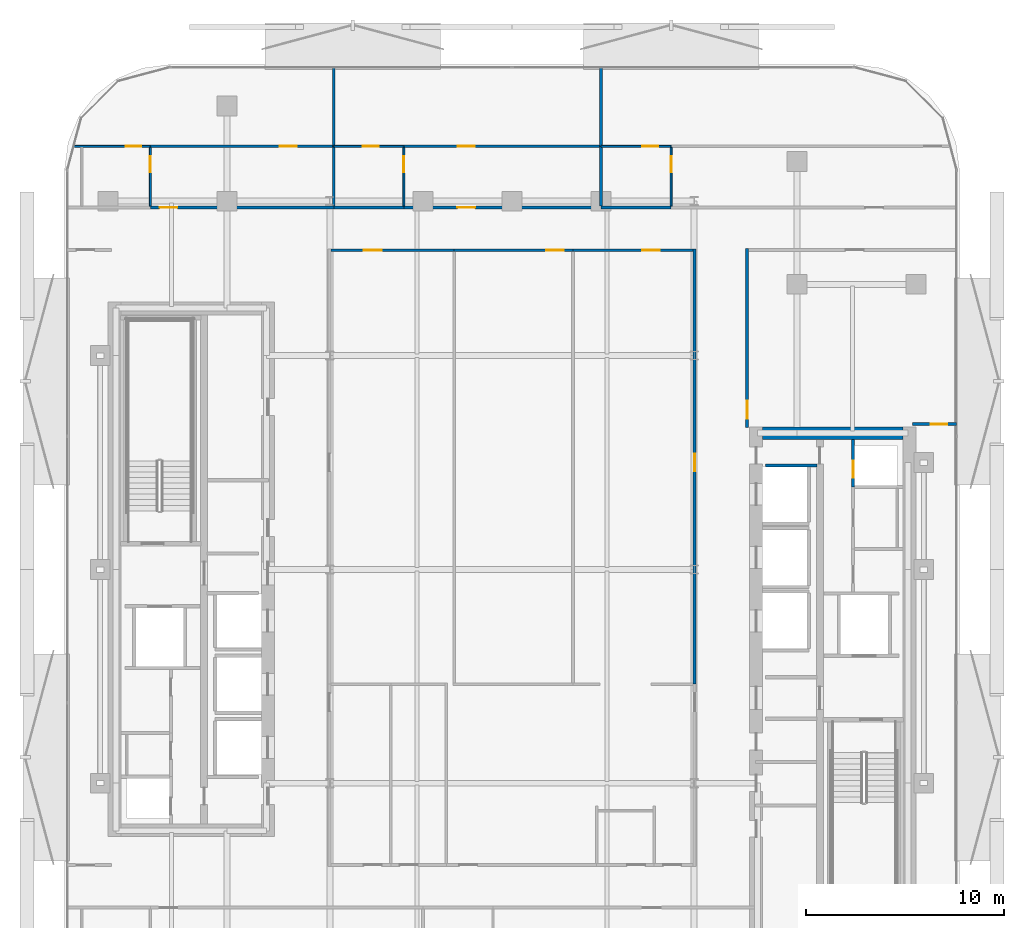
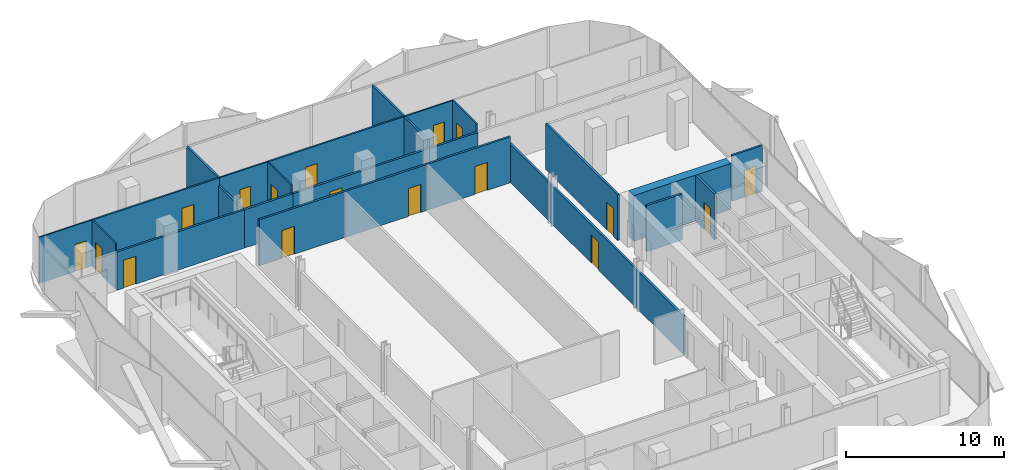
# One storey, part 6 of 16: 25 walls, 17 doors, 17 openings.
"""IFC4 building model written with IfcOpenShell, lengths in metres."""

from ifc_helpers import new_model, si_unit, direction, frame, frame_2d, origin, place, context, subcontext, project, spatial, rectangle, extrude, material, layer, layer_set, type_object, element, fill, save


model = new_model("IFC4")

# Units and contexts
model_context = context("Model", 3, precision=1e-05, world=origin(), true_north=direction((0.0, 1.0)))
body_context = subcontext(model_context, "Body", "Model", "MODEL_VIEW")
ifc_project = project(units=[si_unit("LENGTHUNIT", "METRE"), si_unit("AREAUNIT", "SQUARE_METRE"), si_unit("VOLUMEUNIT", "CUBIC_METRE"), si_unit("PLANEANGLEUNIT", "RADIAN"), si_unit("MASSUNIT", "GRAM", prefix="KILO")], contexts=[model_context])

# Site, building, storey
site_placement = place(None, origin())
site = spatial("IfcSite", under=ifc_project, at=site_placement, CompositionType="ELEMENT")
building_placement = place(site_placement, origin())
building = spatial("IfcBuilding", under=site, at=building_placement, Name="Khairoan Windgate Tower", CompositionType="ELEMENT")
storey_placement = place(building_placement, frame((0.0, 0.0, 184.0)))
storey = spatial("IfcBuildingStorey", under=building, at=storey_placement, Name="L42", CompositionType="ELEMENT", Elevation=184.0)

# Wall, opening, door
ifc_material_1 = material(Name="Moisture-Resistant Gypsum Partition", Category="gypsum")
ifc_layer_1 = layer(ifc_material_1, 0.10009765625, Name="Moisture-Resistant Gypsum Partition")
ifc_layer_set_1 = layer_set([ifc_layer_1], Name="Moisture-Resistant Gypsum Partition")
wall_type_1 = type_object("IfcWallType", Name="Bathroom Wet-Area Partition Wall", PredefinedType="PARTITIONING", material=ifc_layer_set_1)
wall_1_placement = place(storey_placement, frame((-18.260009765625, 18.35498046875, 0.0), z_axis=(0.0, 0.0, 1.0), x_axis=(0.0, 1.0, 0.0)))
wall_1 = element("IfcWall", 1, at=wall_1_placement, inside=storey, type_object=wall_type_1, Name="L42 Interior Partition 051", PredefinedType="PARTITIONING", context=body_context, shape_type="SweptSolid", body=[
    extrude(rectangle(XDim=2.965087890625, YDim=0.10009765625, at=frame_2d((1.482421875, 0.0))), origin(), (0.0, 0.0, 1.0), 3.5400390625),
])
opening_1_placement = place(wall_1_placement, frame((1.705078125, 0.0, 0.0)))
opening_1 = element("IfcOpeningElement", 2, at=opening_1_placement, cuts=wall_1, Name="Opening ID-BTH", PredefinedType="OPENING", context=body_context, shape_type="SweptSolid", body=[
    extrude(rectangle(XDim=0.800048828125, YDim=2.10009765625, at=frame_2d((0.39990234375, 1.050048828125))), frame((0.0, 0.06005859375, 0.0), z_axis=(0.0, -1.0, 0.0), x_axis=(1.0, 0.0, 0.0)), (0.0, 0.0, 1.0), 0.1201171875),
])
ifc_material_2 = material(Name="Teak Veneer Timber Leaf", Category="wood")
door_type_1 = type_object("IfcDoorType", Name="Internal Bathroom Door ID-BTH 800x2100", OperationType="NOTDEFINED", PredefinedType="DOOR", material=ifc_material_2)
door_1_placement = place(opening_1_placement, origin())
door_1 = element("IfcDoor", 3, at=door_1_placement, inside=storey, type_object=door_type_1, Name="L42 L42-42-L42-43 Door", OperationType="SINGLE_SWING_RIGHT", OverallHeight=2.10009765625, OverallWidth=0.800048828125, PredefinedType="DOOR", context=body_context, shape_type="SweptSolid", body=[
    extrude(rectangle(XDim=0.800048828125, YDim=2.10009765625, at=frame_2d((0.39990234375, 1.050048828125))), frame((0.0, 0.02490234375, 0.0), z_axis=(0.0, -1.0, 0.0), x_axis=(1.0, 0.0, 0.0)), (0.0, 0.0, 1.0), 0.050048828125),
])
fill(opening_1, door_1)

wall_2_placement = place(storey_placement, frame((-22.1396484375, 21.3701171875, 0.0), z_axis=(0.0, 0.0, 1.0), x_axis=(1.0, 0.0, 0.0)))
wall_2 = element("IfcWall", 4, at=wall_2_placement, inside=storey, type_object=wall_type_1, Name="L42 Interior Partition 052", PredefinedType="PARTITIONING", context=body_context, shape_type="SweptSolid", body=[
    extrude(rectangle(XDim=3.879638671875, YDim=0.10009765625, at=frame_2d((1.93994140625, 0.0))), origin(), (0.0, 0.0, 1.0), 3.5400390625),
])
opening_2_placement = place(wall_2_placement, frame((2.61962890625, 0.0, 0.0)))
opening_2 = element("IfcOpeningElement", 5, at=opening_2_placement, cuts=wall_2, Name="Opening ID-BTH", PredefinedType="OPENING", context=body_context, shape_type="SweptSolid", body=[
    extrude(rectangle(XDim=0.800048828125, YDim=2.10009765625, at=frame_2d((0.39990234375, 1.050048828125))), frame((0.0, 0.06005859375, 0.0), z_axis=(0.0, -1.0, 0.0), x_axis=(1.0, 0.0, 0.0)), (0.0, 0.0, 1.0), 0.1201171875),
])
door_2_placement = place(opening_2_placement, origin())
door_2 = element("IfcDoor", 6, at=door_2_placement, inside=storey, type_object=door_type_1, Name="L42 L42-42-L42-44 Door", OperationType="SINGLE_SWING_LEFT", OverallHeight=2.10009765625, OverallWidth=0.800048828125, PredefinedType="DOOR", context=body_context, shape_type="SweptSolid", body=[
    extrude(rectangle(XDim=0.800048828125, YDim=2.10009765625, at=frame_2d((0.39990234375, 1.050048828125))), frame((0.0, 0.02490234375, 0.0), z_axis=(0.0, -1.0, 0.0), x_axis=(1.0, 0.0, 0.0)), (0.0, 0.0, 1.0), 0.050048828125),
])
fill(opening_2, door_2)

wall_3_placement = place(storey_placement, frame((-5.4599609375, 18.35498046875, 0.0), z_axis=(0.0, 0.0, 1.0), x_axis=(0.0, 1.0, 0.0)))
wall_3 = element("IfcWall", 7, at=wall_3_placement, inside=storey, type_object=wall_type_1, Name="L42 Interior Partition 056", PredefinedType="PARTITIONING", context=body_context, shape_type="SweptSolid", body=[
    extrude(rectangle(XDim=2.965087890625, YDim=0.10009765625, at=frame_2d((1.482421875, 0.0))), origin(), (0.0, 0.0, 1.0), 3.5400390625),
])
opening_3_placement = place(wall_3_placement, frame((1.705078125, 0.0, 0.0)))
opening_3 = element("IfcOpeningElement", 8, at=opening_3_placement, cuts=wall_3, Name="Opening ID-BTH", PredefinedType="OPENING", context=body_context, shape_type="SweptSolid", body=[
    extrude(rectangle(XDim=0.800048828125, YDim=2.10009765625, at=frame_2d((0.39990234375, 1.050048828125))), frame((0.0, 0.06005859375, 0.0), z_axis=(0.0, -1.0, 0.0), x_axis=(1.0, 0.0, 0.0)), (0.0, 0.0, 1.0), 0.1201171875),
])
door_3_placement = place(opening_3_placement, origin())
door_3 = element("IfcDoor", 9, at=door_3_placement, inside=storey, type_object=door_type_1, Name="L42 L42-45-L42-46 Door", OperationType="SINGLE_SWING_LEFT", OverallHeight=2.10009765625, OverallWidth=0.800048828125, PredefinedType="DOOR", context=body_context, shape_type="SweptSolid", body=[
    extrude(rectangle(XDim=0.800048828125, YDim=2.10009765625, at=frame_2d((0.39990234375, 1.050048828125))), frame((0.0, 0.02490234375, 0.0), z_axis=(0.0, -1.0, 0.0), x_axis=(1.0, 0.0, 0.0)), (0.0, 0.0, 1.0), 0.050048828125),
])
fill(opening_3, door_3)

wall_4_placement = place(storey_placement, frame((-9.0, 21.3701171875, 0.0), z_axis=(0.0, 0.0, 1.0), x_axis=(1.0, 0.0, 0.0)))
wall_4 = element("IfcWall", 10, at=wall_4_placement, inside=storey, type_object=wall_type_1, Name="L42 Interior Partition 057", PredefinedType="PARTITIONING", context=body_context, shape_type="SweptSolid", body=[
    extrude(rectangle(XDim=3.5400390625, YDim=0.10009765625, at=frame_2d((1.77001953125, 0.0))), origin(), (0.0, 0.0, 1.0), 3.5400390625),
])
opening_4_placement = place(wall_4_placement, frame((1.47119140625, 0.0, 0.0)))
opening_4 = element("IfcOpeningElement", 11, at=opening_4_placement, cuts=wall_4, Name="Opening ID-BTH", PredefinedType="OPENING", context=body_context, shape_type="SweptSolid", body=[
    extrude(rectangle(XDim=0.800048828125, YDim=2.10009765625, at=frame_2d((0.39990234375, 1.050048828125))), frame((0.0, 0.06005859375, 0.0), z_axis=(0.0, -1.0, 0.0), x_axis=(1.0, 0.0, 0.0)), (0.0, 0.0, 1.0), 0.1201171875),
])
door_4_placement = place(opening_4_placement, origin())
door_4 = element("IfcDoor", 12, at=door_4_placement, inside=storey, type_object=door_type_1, Name="L42 L42-45-L42-47 Door", OperationType="SINGLE_SWING_RIGHT", OverallHeight=2.10009765625, OverallWidth=0.800048828125, PredefinedType="DOOR", context=body_context, shape_type="SweptSolid", body=[
    extrude(rectangle(XDim=0.800048828125, YDim=2.10009765625, at=frame_2d((0.39990234375, 1.050048828125))), frame((0.0, 0.02490234375, 0.0), z_axis=(0.0, -1.0, 0.0), x_axis=(1.0, 0.0, 0.0)), (0.0, 0.0, 1.0), 0.050048828125),
])
fill(opening_4, door_4)

wall_5_placement = place(storey_placement, frame((8.0400390625, 18.35498046875, 0.0), z_axis=(0.0, 0.0, 1.0), x_axis=(0.0, 1.0, 0.0)))
wall_5 = element("IfcWall", 13, at=wall_5_placement, inside=storey, type_object=wall_type_1, Name="L42 Interior Partition 061", PredefinedType="PARTITIONING", context=body_context, shape_type="SweptSolid", body=[
    extrude(rectangle(XDim=2.965087890625, YDim=0.10009765625, at=frame_2d((1.482421875, 0.0))), origin(), (0.0, 0.0, 1.0), 3.5400390625),
])
opening_5_placement = place(wall_5_placement, frame((1.705078125, 0.0, 0.0)))
opening_5 = element("IfcOpeningElement", 14, at=opening_5_placement, cuts=wall_5, Name="Opening ID-BTH", PredefinedType="OPENING", context=body_context, shape_type="SweptSolid", body=[
    extrude(rectangle(XDim=0.800048828125, YDim=2.10009765625, at=frame_2d((0.39990234375, 1.050048828125))), frame((0.0, 0.06005859375, 0.0), z_axis=(0.0, -1.0, 0.0), x_axis=(1.0, 0.0, 0.0)), (0.0, 0.0, 1.0), 0.1201171875),
])
door_5_placement = place(opening_5_placement, origin())
door_5 = element("IfcDoor", 15, at=door_5_placement, inside=storey, type_object=door_type_1, Name="L42 L42-48-L42-49 Door", OperationType="SINGLE_SWING_RIGHT", OverallHeight=2.10009765625, OverallWidth=0.800048828125, PredefinedType="DOOR", context=body_context, shape_type="SweptSolid", body=[
    extrude(rectangle(XDim=0.800048828125, YDim=2.10009765625, at=frame_2d((0.39990234375, 1.050048828125))), frame((0.0, 0.02490234375, 0.0), z_axis=(0.0, -1.0, 0.0), x_axis=(1.0, 0.0, 0.0)), (0.0, 0.0, 1.0), 0.050048828125),
])
fill(opening_5, door_5)

wall_6_placement = place(storey_placement, frame((4.5, 21.3701171875, 0.0), z_axis=(0.0, 0.0, 1.0), x_axis=(1.0, 0.0, 0.0)))
wall_6 = element("IfcWall", 16, at=wall_6_placement, inside=storey, type_object=wall_type_1, Name="L42 Interior Partition 062", PredefinedType="PARTITIONING", context=body_context, shape_type="SweptSolid", body=[
    extrude(rectangle(XDim=3.5400390625, YDim=0.10009765625, at=frame_2d((1.77001953125, 0.0))), origin(), (0.0, 0.0, 1.0), 3.5400390625),
])
opening_6_placement = place(wall_6_placement, frame((2.077880859375, 0.0, 0.0)))
opening_6 = element("IfcOpeningElement", 17, at=opening_6_placement, cuts=wall_6, Name="Opening ID-BTH", PredefinedType="OPENING", context=body_context, shape_type="SweptSolid", body=[
    extrude(rectangle(XDim=0.800048828125, YDim=2.10009765625, at=frame_2d((0.39990234375, 1.050048828125))), frame((0.0, 0.06005859375, 0.0), z_axis=(0.0, -1.0, 0.0), x_axis=(1.0, 0.0, 0.0)), (0.0, 0.0, 1.0), 0.1201171875),
])
door_6_placement = place(opening_6_placement, origin())
door_6 = element("IfcDoor", 18, at=door_6_placement, inside=storey, type_object=door_type_1, Name="L42 L42-48-L42-50 Door", OperationType="SINGLE_SWING_LEFT", OverallHeight=2.10009765625, OverallWidth=0.800048828125, PredefinedType="DOOR", context=body_context, shape_type="SweptSolid", body=[
    extrude(rectangle(XDim=0.800048828125, YDim=2.10009765625, at=frame_2d((0.39990234375, 1.050048828125))), frame((0.0, 0.02490234375, 0.0), z_axis=(0.0, -1.0, 0.0), x_axis=(1.0, 0.0, 0.0)), (0.0, 0.0, 1.0), 0.050048828125),
])
fill(opening_6, door_6)

# Walls
ifc_material_3 = material(Name="Concrete C40/50", Category="concrete")
ifc_layer_2 = layer(ifc_material_3, 0.159912109375, Name="Concrete C40/50")
ifc_layer_set_2 = layer_set([ifc_layer_2], Name="Concrete C40/50")
wall_type_2 = type_object("IfcWallType", Name="Core and Hoistway Enclosure Wall", PredefinedType="STANDARD", material=ifc_layer_set_2)
wall_7_placement = place(storey_placement, frame((12.800048828125, 5.25, 0.0), z_axis=(0.0, 0.0, 1.0), x_axis=(1.0, 0.0, 0.0)))
element("IfcWall", 19, at=wall_7_placement, inside=storey, type_object=wall_type_2, Name="L42 Core Shaft Wall SW-ESV-L42", PredefinedType="STANDARD", context=body_context, shape_type="SweptSolid", body=[
    extrude(rectangle(XDim=2.599853515625, YDim=0.159912109375, at=frame_2d((1.2998046875, 0.0))), origin(), (0.0, 0.0, 1.0), 3.5400390625),
])
ifc_material_4 = material(Name="Acoustic Fire-Rated Gypsum Partition", Category="gypsum")
ifc_layer_3 = layer(ifc_material_4, 0.139892578125, Name="Acoustic Fire-Rated Gypsum Partition")
ifc_layer_set_3 = layer_set([ifc_layer_3], Name="Acoustic Fire-Rated Gypsum Partition")
wall_type_3 = type_object("IfcWallType", Name="Inter-Tenancy Compartment Wall", PredefinedType="PARTITIONING", material=ifc_layer_set_3)
wall_8_placement = place(storey_placement, frame((-9.0, 18.35498046875, 0.0), z_axis=(0.0, 0.0, 1.0), x_axis=(0.0, 1.0, 0.0)))
element("IfcWall", 20, at=wall_8_placement, inside=storey, type_object=wall_type_3, Name="L42 Interior Partition 054", PredefinedType="PARTITIONING", context=body_context, shape_type="SweptSolid", body=[
    extrude(rectangle(XDim=3.01513671875, YDim=0.139892578125, at=frame_2d((1.507568359375, 0.0))), origin(), (0.0, 0.0, 1.0), 2.951904296875),
])
wall_9_placement = place(storey_placement, frame((-9.0, 21.3701171875, 0.0), z_axis=(0.0, 0.0, 1.0), x_axis=(0.0, 1.0, 0.0)))
element("IfcWall", 21, at=wall_9_placement, inside=storey, type_object=wall_type_3, Name="L42 Interior Partition 055", PredefinedType="PARTITIONING", context=body_context, shape_type="SweptSolid", body=[
    extrude(rectangle(XDim=3.98486328125, YDim=0.139892578125, at=frame_2d((1.992431640625, 0.0))), origin(), (0.0, 0.0, 1.0), 3.5400390625),
])
wall_10_placement = place(storey_placement, frame((4.5, 18.35498046875, 0.0), z_axis=(0.0, 0.0, 1.0), x_axis=(0.0, 1.0, 0.0)))
element("IfcWall", 22, at=wall_10_placement, inside=storey, type_object=wall_type_3, Name="L42 Interior Partition 059", PredefinedType="PARTITIONING", context=body_context, shape_type="SweptSolid", body=[
    extrude(rectangle(XDim=3.01513671875, YDim=0.139892578125, at=frame_2d((1.507568359375, 0.0))), origin(), (0.0, 0.0, 1.0), 3.5400390625),
])
wall_11_placement = place(storey_placement, frame((4.5, 21.3701171875, 0.0), z_axis=(0.0, 0.0, 1.0), x_axis=(0.0, 1.0, 0.0)))
element("IfcWall", 23, at=wall_11_placement, inside=storey, type_object=wall_type_3, Name="L42 Interior Partition 060", PredefinedType="PARTITIONING", context=body_context, shape_type="SweptSolid", body=[
    extrude(rectangle(XDim=3.98486328125, YDim=0.139892578125, at=frame_2d((1.992431640625, 0.0))), origin(), (0.0, 0.0, 1.0), 3.5400390625),
])

# Wall, opening, door
wall_12_placement = place(storey_placement, frame((20.239990234375, 7.340087890625, 0.0), z_axis=(0.0, 0.0, 1.0), x_axis=(1.0, 0.0, 0.0)))
wall_12 = element("IfcWall", 24, at=wall_12_placement, inside=storey, type_object=wall_type_3, Name="L42 Interior Partition 072", PredefinedType="PARTITIONING", context=body_context, shape_type="SweptSolid", body=[
    extrude(rectangle(XDim=2.215087890625, YDim=0.139892578125, at=frame_2d((1.107421875, 0.0))), origin(), (0.0, 0.0, 1.0), 3.5400390625),
])
opening_7_placement = place(wall_12_placement, frame((0.905029296875, 0.0, 0.0)))
opening_7 = element("IfcOpeningElement", 25, at=opening_7_placement, cuts=wall_12, Name="Opening FD-SRV", PredefinedType="OPENING", context=body_context, shape_type="SweptSolid", body=[
    extrude(rectangle(XDim=0.85009765625, YDim=2.10009765625, at=frame_2d((0.425048828125, 1.050048828125))), frame((0.0, 0.079833984375, 0.0), z_axis=(0.0, -1.0, 0.0), x_axis=(1.0, 0.0, 0.0)), (0.0, 0.0, 1.0), 0.159912109375),
])
ifc_material_5 = material(Name="Steel S355", Category="steel")
door_type_2 = type_object("IfcDoorType", Name="Core Service and Riser Fire Door FD-SRV 850x2100", OperationType="NOTDEFINED", PredefinedType="DOOR", material=ifc_material_5)
door_7_placement = place(opening_7_placement, origin())
door_7 = element("IfcDoor", 26, at=door_7_placement, inside=storey, type_object=door_type_2, Name="L42 L42-57-L42-59 Door", OperationType="SINGLE_SWING_LEFT", OverallHeight=2.10009765625, OverallWidth=0.85009765625, PredefinedType="DOOR", context=body_context, shape_type="SweptSolid", body=[
    extrude(rectangle(XDim=0.85009765625, YDim=2.10009765625, at=frame_2d((0.425048828125, 1.050048828125))), frame((0.0, 0.02490234375, 0.0), z_axis=(0.0, -1.0, 0.0), x_axis=(1.0, 0.0, 0.0)), (0.0, 0.0, 1.0), 0.050048828125),
])
fill(opening_7, door_7)

ifc_material_6 = material(Name="Gypsum Stud Partition", Category="gypsum")
ifc_layer_4 = layer(ifc_material_6, 0.1201171875, Name="Gypsum Stud Partition")
ifc_layer_set_4 = layer_set([ifc_layer_4], Name="Gypsum Stud Partition")
wall_type_4 = type_object("IfcWallType", Name="Internal Room Partition Wall", PredefinedType="PARTITIONING", material=ifc_layer_set_4)
wall_13_placement = place(storey_placement, frame((-18.260009765625, 21.3701171875, 0.0), z_axis=(0.0, 0.0, 1.0), x_axis=(1.0, 0.0, 0.0)))
wall_13 = element("IfcWall", 27, at=wall_13_placement, inside=storey, type_object=wall_type_4, Name="L42 Interior Partition 053", PredefinedType="PARTITIONING", context=body_context, shape_type="SweptSolid", body=[
    extrude(rectangle(XDim=9.260009765625, YDim=0.1201171875, at=frame_2d((4.6298828125, 0.0))), origin(), (0.0, 0.0, 1.0), 3.5400390625),
])
opening_8_placement = place(wall_13_placement, frame((6.52490234375, 0.0, 0.0)))
opening_8 = element("IfcOpeningElement", 28, at=opening_8_placement, cuts=wall_13, Name="Opening ID-RM", PredefinedType="OPENING", context=body_context, shape_type="SweptSolid", body=[
    extrude(rectangle(XDim=0.860107421875, YDim=2.14990234375, at=frame_2d((0.43017578125, 1.074951171875))), frame((0.0, 0.070068359375, 0.0), z_axis=(0.0, -1.0, 0.0), x_axis=(1.0, 0.0, 0.0)), (0.0, 0.0, 1.0), 0.14013671875),
])
ifc_material_7 = material(Name="Teak Veneer Timber Leaf", Category="wood")
door_type_3 = type_object("IfcDoorType", Name="Internal Bedroom and Office Door ID-RM 860x2150", OperationType="NOTDEFINED", PredefinedType="DOOR", material=ifc_material_7)
door_8_placement = place(opening_8_placement, origin())
door_8 = element("IfcDoor", 29, at=door_8_placement, inside=storey, type_object=door_type_3, Name="L42 L42-43-L42-44 Door", OperationType="SINGLE_SWING_RIGHT", OverallHeight=2.14990234375, OverallWidth=0.860107421875, PredefinedType="DOOR", context=body_context, shape_type="SweptSolid", body=[
    extrude(rectangle(XDim=0.860107421875, YDim=2.14990234375, at=frame_2d((0.43017578125, 1.074951171875))), frame((0.0, 0.02490234375, 0.0), z_axis=(0.0, -1.0, 0.0), x_axis=(1.0, 0.0, 0.0)), (0.0, 0.0, 1.0), 0.050048828125),
])
fill(opening_8, door_8)

wall_14_placement = place(storey_placement, frame((-5.4599609375, 21.3701171875, 0.0), z_axis=(0.0, 0.0, 1.0), x_axis=(1.0, 0.0, 0.0)))
wall_14 = element("IfcWall", 30, at=wall_14_placement, inside=storey, type_object=wall_type_4, Name="L42 Interior Partition 058", PredefinedType="PARTITIONING", context=body_context, shape_type="SweptSolid", body=[
    extrude(rectangle(XDim=9.9599609375, YDim=0.1201171875, at=frame_2d((4.97998046875, 0.0))), origin(), (0.0, 0.0, 1.0), 3.5400390625),
])
opening_9_placement = place(wall_14_placement, frame((2.70947265625, 0.0, 0.0)))
opening_9 = element("IfcOpeningElement", 31, at=opening_9_placement, cuts=wall_14, Name="Opening ID-RM", PredefinedType="OPENING", context=body_context, shape_type="SweptSolid", body=[
    extrude(rectangle(XDim=0.860107421875, YDim=2.14990234375, at=frame_2d((0.43017578125, 1.074951171875))), frame((0.0, 0.070068359375, 0.0), z_axis=(0.0, -1.0, 0.0), x_axis=(1.0, 0.0, 0.0)), (0.0, 0.0, 1.0), 0.14013671875),
])
door_9_placement = place(opening_9_placement, origin())
door_9 = element("IfcDoor", 32, at=door_9_placement, inside=storey, type_object=door_type_3, Name="L42 L42-46-L42-47 Door", OperationType="SINGLE_SWING_LEFT", OverallHeight=2.14990234375, OverallWidth=0.860107421875, PredefinedType="DOOR", context=body_context, shape_type="SweptSolid", body=[
    extrude(rectangle(XDim=0.860107421875, YDim=2.14990234375, at=frame_2d((0.43017578125, 1.074951171875))), frame((0.0, 0.02490234375, 0.0), z_axis=(0.0, -1.0, 0.0), x_axis=(1.0, 0.0, 0.0)), (0.0, 0.0, 1.0), 0.050048828125),
])
fill(opening_9, door_9)

ifc_material_8 = material(Name="Concrete C40/50", Category="concrete")
ifc_layer_5 = layer(ifc_material_8, 0.159912109375, Name="Concrete C40/50")
ifc_layer_set_5 = layer_set([ifc_layer_5], Name="Concrete C40/50")
wall_type_5 = type_object("IfcWallType", Name="Plant and Refuge Compartment Wall", PredefinedType="PARTITIONING", material=ifc_layer_set_5)
wall_15_placement = place(storey_placement, frame((17.22998046875, 4.169921875, 0.0), z_axis=(0.0, 0.0, 1.0), x_axis=(0.0, 1.0, 0.0)))
wall_15 = element("IfcWall", 33, at=wall_15_placement, inside=storey, type_object=wall_type_5, Name="L42 Interior Partition 007", PredefinedType="PARTITIONING", context=body_context, shape_type="SweptSolid", body=[
    extrude(rectangle(XDim=2.380126953125, YDim=0.159912109375, at=frame_2d((1.18994140625, 0.0))), origin(), (0.0, 0.0, 1.0), 3.5400390625),
])
opening_10_placement = place(wall_15_placement, frame((0.4599609375, 0.0, 0.0)))
opening_10 = element("IfcOpeningElement", 34, at=opening_10_placement, cuts=wall_15, Name="Opening FD-SRV", PredefinedType="OPENING", context=body_context, shape_type="SweptSolid", body=[
    extrude(rectangle(XDim=0.85009765625, YDim=2.10009765625, at=frame_2d((0.425048828125, 1.050048828125))), frame((0.0, 0.08984375, 0.0), z_axis=(0.0, -1.0, 0.0), x_axis=(1.0, 0.0, 0.0)), (0.0, 0.0, 1.0), 0.179931640625),
])
door_10_placement = place(opening_10_placement, origin())
door_10 = element("IfcDoor", 35, at=door_10_placement, inside=storey, type_object=door_type_2, Name="L42 L42-18-L42-19 Door", OperationType="SINGLE_SWING_RIGHT", OverallHeight=2.10009765625, OverallWidth=0.85009765625, PredefinedType="DOOR", context=body_context, shape_type="SweptSolid", body=[
    extrude(rectangle(XDim=0.85009765625, YDim=2.10009765625, at=frame_2d((0.425048828125, 1.050048828125))), frame((0.0, 0.02490234375, 0.0), z_axis=(0.0, -1.0, 0.0), x_axis=(1.0, 0.0, 0.0)), (0.0, 0.0, 1.0), 0.050048828125),
])
fill(opening_10, door_10)

ifc_material_9 = material(Name="Acoustic Fire-Rated Gypsum Partition", Category="gypsum")
ifc_layer_6 = layer(ifc_material_9, 0.14990234375, Name="Acoustic Fire-Rated Gypsum Partition")
ifc_layer_set_6 = layer_set([ifc_layer_6], Name="Acoustic Fire-Rated Gypsum Partition")
wall_type_6 = type_object("IfcWallType", Name="Rated Corridor Partition Wall", PredefinedType="PARTITIONING", material=ifc_layer_set_6)
wall_16_placement = place(storey_placement, frame((9.219970703125, -5.800048828125, 0.0), z_axis=(0.0, 0.0, 1.0), x_axis=(0.0, 1.0, 0.0)))
wall_16 = element("IfcWall", 36, at=wall_16_placement, inside=storey, type_object=wall_type_6, Name="L42 Interior Partition 017", PredefinedType="PARTITIONING", context=body_context, shape_type="SweptSolid", body=[
    extrude(rectangle(XDim=21.9951171875, YDim=0.14990234375, at=frame_2d((10.99755859375, 0.0))), origin(), (0.0, 0.0, 1.0), 2.951904296875),
])
opening_11_placement = place(wall_16_placement, frame((10.749267578125, 0.0, 0.0)))
opening_11 = element("IfcOpeningElement", 37, at=opening_11_placement, cuts=wall_16, Name="Opening FD-ENT", PredefinedType="OPENING", context=body_context, shape_type="SweptSolid", body=[
    extrude(rectangle(XDim=0.89990234375, YDim=2.14990234375, at=frame_2d((0.449951171875, 1.074951171875))), frame((0.0, 0.0849609375, 0.0), z_axis=(0.0, -1.0, 0.0), x_axis=(1.0, 0.0, 0.0)), (0.0, 0.0, 1.0), 0.169921875),
])
ifc_material_10 = material(Name="Timber Fire-Rated Core", Category="wood")
door_type_4 = type_object("IfcDoorType", Name="Unit and Office Fire Entrance Door FD-ENT 900x2150", OperationType="NOTDEFINED", PredefinedType="DOOR", material=ifc_material_10)
door_11_placement = place(opening_11_placement, origin())
door_11 = element("IfcDoor", 38, at=door_11_placement, inside=storey, type_object=door_type_4, Name="L42 L42-31-L42-41 Door", OperationType="SINGLE_SWING_RIGHT", OverallHeight=2.14990234375, OverallWidth=0.89990234375, PredefinedType="DOOR", context=body_context, shape_type="SweptSolid", body=[
    extrude(rectangle(XDim=0.89990234375, YDim=2.14990234375, at=frame_2d((0.449951171875, 1.074951171875))), frame((0.0, 0.02490234375, 0.0), z_axis=(0.0, -1.0, 0.0), x_axis=(1.0, 0.0, 0.0)), (0.0, 0.0, 1.0), 0.050048828125),
])
fill(opening_11, door_11)

wall_17_placement = place(storey_placement, frame((11.8798828125, 7.159912109375, 0.0), z_axis=(0.0, 0.0, 1.0), x_axis=(0.0, 1.0, 0.0)))
wall_17 = element("IfcWall", 39, at=wall_17_placement, inside=storey, type_object=wall_type_6, Name="L42 Interior Partition 018", PredefinedType="PARTITIONING", context=body_context, shape_type="SweptSolid", body=[
    extrude(rectangle(XDim=9.05517578125, YDim=0.14990234375, at=frame_2d((4.527587890625, 0.0))), origin(), (0.0, 0.0, 1.0), 3.5400390625),
])
opening_12_placement = place(wall_17_placement, frame((0.4599609375, 0.0, 0.0)))
opening_12 = element("IfcOpeningElement", 40, at=opening_12_placement, cuts=wall_17, Name="Opening FD-ENT", PredefinedType="OPENING", context=body_context, shape_type="SweptSolid", body=[
    extrude(rectangle(XDim=0.89990234375, YDim=2.14990234375, at=frame_2d((0.449951171875, 1.074951171875))), frame((0.0, 0.0849609375, 0.0), z_axis=(0.0, -1.0, 0.0), x_axis=(1.0, 0.0, 0.0)), (0.0, 0.0, 1.0), 0.169921875),
])
door_12_placement = place(opening_12_placement, origin())
door_12 = element("IfcDoor", 41, at=door_12_placement, inside=storey, type_object=door_type_4, Name="L42 L42-31-L42-57 Door", OperationType="SINGLE_SWING_LEFT", OverallHeight=2.14990234375, OverallWidth=0.89990234375, PredefinedType="DOOR", context=body_context, shape_type="SweptSolid", body=[
    extrude(rectangle(XDim=0.89990234375, YDim=2.14990234375, at=frame_2d((0.449951171875, 1.074951171875))), frame((0.0, 0.02490234375, 0.0), z_axis=(0.0, -1.0, 0.0), x_axis=(1.0, 0.0, 0.0)), (0.0, 0.0, 1.0), 0.050048828125),
])
fill(opening_12, door_12)

wall_18_placement = place(storey_placement, frame((-9.14501953125, 16.1201171875, 0.0), z_axis=(0.0, 0.0, 1.0), x_axis=(1.0, 0.0, 0.0)))
wall_18 = element("IfcWall", 42, at=wall_18_placement, inside=storey, type_object=wall_type_6, Name="L42 Interior Partition 019", PredefinedType="PARTITIONING", context=body_context, shape_type="SweptSolid", body=[
    extrude(rectangle(XDim=6.22509765625, YDim=0.14990234375, at=frame_2d((3.112548828125, 0.0))), origin(), (0.0, 0.0, 1.0), 3.5400390625),
])
opening_13_placement = place(wall_18_placement, frame((1.661376953125, 0.0, 0.0)))
opening_13 = element("IfcOpeningElement", 43, at=opening_13_placement, cuts=wall_18, Name="Opening FD-ENT", PredefinedType="OPENING", context=body_context, shape_type="SweptSolid", body=[
    extrude(rectangle(XDim=0.89990234375, YDim=2.14990234375, at=frame_2d((0.449951171875, 1.074951171875))), frame((0.0, 0.0849609375, 0.0), z_axis=(0.0, -1.0, 0.0), x_axis=(1.0, 0.0, 0.0)), (0.0, 0.0, 1.0), 0.169921875),
])
door_13_placement = place(opening_13_placement, origin())
door_13 = element("IfcDoor", 44, at=door_13_placement, inside=storey, type_object=door_type_4, Name="L42 L42-32-L42-39 Door", OperationType="SINGLE_SWING_RIGHT", OverallHeight=2.14990234375, OverallWidth=0.89990234375, PredefinedType="DOOR", context=body_context, shape_type="SweptSolid", body=[
    extrude(rectangle(XDim=0.89990234375, YDim=2.14990234375, at=frame_2d((0.449951171875, 1.074951171875))), frame((0.0, 0.02490234375, 0.0), z_axis=(0.0, -1.0, 0.0), x_axis=(1.0, 0.0, 0.0)), (0.0, 0.0, 1.0), 0.050048828125),
])
fill(opening_13, door_13)

wall_19_placement = place(storey_placement, frame((-2.919921875, 16.1201171875, 0.0), z_axis=(0.0, 0.0, 1.0), x_axis=(1.0, 0.0, 0.0)))
wall_19 = element("IfcWall", 45, at=wall_19_placement, inside=storey, type_object=wall_type_6, Name="L42 Interior Partition 020", PredefinedType="PARTITIONING", context=body_context, shape_type="SweptSolid", body=[
    extrude(rectangle(XDim=6.0, YDim=0.14990234375, at=frame_2d((3.0, 0.0))), origin(), (0.0, 0.0, 1.0), 3.5400390625),
])
opening_14_placement = place(wall_19_placement, frame((4.639892578125, 0.0, 0.0)))
opening_14 = element("IfcOpeningElement", 46, at=opening_14_placement, cuts=wall_19, Name="Opening FD-ENT", PredefinedType="OPENING", context=body_context, shape_type="SweptSolid", body=[
    extrude(rectangle(XDim=0.89990234375, YDim=2.14990234375, at=frame_2d((0.449951171875, 1.074951171875))), frame((0.0, 0.0849609375, 0.0), z_axis=(0.0, -1.0, 0.0), x_axis=(1.0, 0.0, 0.0)), (0.0, 0.0, 1.0), 0.169921875),
])
door_14_placement = place(opening_14_placement, origin())
door_14 = element("IfcDoor", 47, at=door_14_placement, inside=storey, type_object=door_type_4, Name="L42 L42-32-L42-40 Door", OperationType="SINGLE_SWING_LEFT", OverallHeight=2.14990234375, OverallWidth=0.89990234375, PredefinedType="DOOR", context=body_context, shape_type="SweptSolid", body=[
    extrude(rectangle(XDim=0.89990234375, YDim=2.14990234375, at=frame_2d((0.449951171875, 1.074951171875))), frame((0.0, 0.02490234375, 0.0), z_axis=(0.0, -1.0, 0.0), x_axis=(1.0, 0.0, 0.0)), (0.0, 0.0, 1.0), 0.050048828125),
])
fill(opening_14, door_14)

wall_20_placement = place(storey_placement, frame((3.080078125, 16.1201171875, 0.0), z_axis=(0.0, 0.0, 1.0), x_axis=(1.0, 0.0, 0.0)))
wall_20 = element("IfcWall", 48, at=wall_20_placement, inside=storey, type_object=wall_type_6, Name="L42 Interior Partition 021", PredefinedType="PARTITIONING", context=body_context, shape_type="SweptSolid", body=[
    extrude(rectangle(XDim=6.06494140625, YDim=0.14990234375, at=frame_2d((3.032470703125, 0.0))), origin(), (0.0, 0.0, 1.0), 3.5400390625),
])
opening_15_placement = place(wall_20_placement, frame((3.4921875, 0.0, 0.0)))
opening_15 = element("IfcOpeningElement", 49, at=opening_15_placement, cuts=wall_20, Name="Opening FD-ENT", PredefinedType="OPENING", context=body_context, shape_type="SweptSolid", body=[
    extrude(rectangle(XDim=0.89990234375, YDim=2.14990234375, at=frame_2d((0.449951171875, 1.074951171875))), frame((0.0, 0.0849609375, 0.0), z_axis=(0.0, -1.0, 0.0), x_axis=(1.0, 0.0, 0.0)), (0.0, 0.0, 1.0), 0.169921875),
])
door_15_placement = place(opening_15_placement, origin())
door_15 = element("IfcDoor", 50, at=door_15_placement, inside=storey, type_object=door_type_4, Name="L42 L42-32-L42-41 Door", OperationType="SINGLE_SWING_RIGHT", OverallHeight=2.14990234375, OverallWidth=0.89990234375, PredefinedType="DOOR", context=body_context, shape_type="SweptSolid", body=[
    extrude(rectangle(XDim=0.89990234375, YDim=2.14990234375, at=frame_2d((0.449951171875, 1.074951171875))), frame((0.0, 0.02490234375, 0.0), z_axis=(0.0, -1.0, 0.0), x_axis=(1.0, 0.0, 0.0)), (0.0, 0.0, 1.0), 0.050048828125),
])
fill(opening_15, door_15)

wall_21_placement = place(storey_placement, frame((-18.260009765625, 18.280029296875, 0.0), z_axis=(0.0, 0.0, 1.0), x_axis=(1.0, 0.0, 0.0)))
wall_21 = element("IfcWall", 51, at=wall_21_placement, inside=storey, type_object=wall_type_6, Name="L42 Interior Partition 023", PredefinedType="PARTITIONING", context=body_context, shape_type="SweptSolid", body=[
    extrude(rectangle(XDim=9.260009765625, YDim=0.14990234375, at=frame_2d((4.6298828125, 0.0))), origin(), (0.0, 0.0, 1.0), 2.951904296875),
])
opening_16_placement = place(wall_21_placement, frame((0.4599609375, 0.0, 0.0)))
opening_16 = element("IfcOpeningElement", 52, at=opening_16_placement, cuts=wall_21, Name="Opening FD-ENT", PredefinedType="OPENING", context=body_context, shape_type="SweptSolid", body=[
    extrude(rectangle(XDim=0.89990234375, YDim=2.14990234375, at=frame_2d((0.449951171875, 1.074951171875))), frame((0.0, 0.0849609375, 0.0), z_axis=(0.0, -1.0, 0.0), x_axis=(1.0, 0.0, 0.0)), (0.0, 0.0, 1.0), 0.169921875),
])
door_16_placement = place(opening_16_placement, origin())
door_16 = element("IfcDoor", 53, at=door_16_placement, inside=storey, type_object=door_type_4, Name="L42 L42-32-L42-43 Door", OperationType="SINGLE_SWING_LEFT", OverallHeight=2.14990234375, OverallWidth=0.89990234375, PredefinedType="DOOR", context=body_context, shape_type="SweptSolid", body=[
    extrude(rectangle(XDim=0.89990234375, YDim=2.14990234375, at=frame_2d((0.449951171875, 1.074951171875))), frame((0.0, 0.02490234375, 0.0), z_axis=(0.0, -1.0, 0.0), x_axis=(1.0, 0.0, 0.0)), (0.0, 0.0, 1.0), 0.050048828125),
])
fill(opening_16, door_16)

# Wall
wall_22_placement = place(storey_placement, frame((-9.0, 18.280029296875, 0.0), z_axis=(0.0, 0.0, 1.0), x_axis=(1.0, 0.0, 0.0)))
element("IfcWall", 54, at=wall_22_placement, inside=storey, type_object=wall_type_6, Name="L42 Interior Partition 024", PredefinedType="PARTITIONING", context=body_context, shape_type="SweptSolid", body=[
    extrude(rectangle(XDim=3.5400390625, YDim=0.14990234375, at=frame_2d((1.77001953125, 0.0))), origin(), (0.0, 0.0, 1.0), 2.951904296875),
])

# Wall, opening, door
wall_23_placement = place(storey_placement, frame((-5.4599609375, 18.280029296875, 0.0), z_axis=(0.0, 0.0, 1.0), x_axis=(1.0, 0.0, 0.0)))
wall_23 = element("IfcWall", 55, at=wall_23_placement, inside=storey, type_object=wall_type_6, Name="L42 Interior Partition 025", PredefinedType="PARTITIONING", context=body_context, shape_type="SweptSolid", body=[
    extrude(rectangle(XDim=9.9599609375, YDim=0.14990234375, at=frame_2d((4.97998046875, 0.0))), origin(), (0.0, 0.0, 1.0), 2.951904296875),
])
opening_17_placement = place(wall_23_placement, frame((2.698486328125, 0.0, 0.0)))
opening_17 = element("IfcOpeningElement", 56, at=opening_17_placement, cuts=wall_23, Name="Opening FD-ENT", PredefinedType="OPENING", context=body_context, shape_type="SweptSolid", body=[
    extrude(rectangle(XDim=0.89990234375, YDim=2.14990234375, at=frame_2d((0.449951171875, 1.074951171875))), frame((0.0, 0.0849609375, 0.0), z_axis=(0.0, -1.0, 0.0), x_axis=(1.0, 0.0, 0.0)), (0.0, 0.0, 1.0), 0.169921875),
])
door_17_placement = place(opening_17_placement, origin())
door_17 = element("IfcDoor", 57, at=door_17_placement, inside=storey, type_object=door_type_4, Name="L42 L42-32-L42-46 Door", OperationType="SINGLE_SWING_RIGHT", OverallHeight=2.14990234375, OverallWidth=0.89990234375, PredefinedType="DOOR", context=body_context, shape_type="SweptSolid", body=[
    extrude(rectangle(XDim=0.89990234375, YDim=2.14990234375, at=frame_2d((0.449951171875, 1.074951171875))), frame((0.0, 0.02490234375, 0.0), z_axis=(0.0, -1.0, 0.0), x_axis=(1.0, 0.0, 0.0)), (0.0, 0.0, 1.0), 0.050048828125),
])
fill(opening_17, door_17)

# Walls
wall_24_placement = place(storey_placement, frame((4.5, 18.280029296875, 0.0), z_axis=(0.0, 0.0, 1.0), x_axis=(1.0, 0.0, 0.0)))
element("IfcWall", 58, at=wall_24_placement, inside=storey, type_object=wall_type_6, Name="L42 Interior Partition 026", PredefinedType="PARTITIONING", context=body_context, shape_type="SweptSolid", body=[
    extrude(rectangle(XDim=3.5400390625, YDim=0.14990234375, at=frame_2d((1.77001953125, 0.0))), origin(), (0.0, 0.0, 1.0), 2.951904296875),
])
ifc_material_11 = material(Name="Concrete C60/75", Category="concrete")
ifc_layer_7 = layer(ifc_material_11, 0.64990234375, Name="Concrete C60/75")
ifc_layer_set_7 = layer_set([ifc_layer_7], Name="Concrete C60/75")
wall_type_7 = type_object("IfcWallType", Name="Shear Wall CW-E2 650mm", PredefinedType="SHEAR", material=ifc_layer_set_7)
wall_25_placement = place(storey_placement, frame((12.64990234375, 6.875, 0.0), z_axis=(0.0, 0.0, 1.0), x_axis=(1.0, 0.0, 0.0)))
element("IfcWall", 59, at=wall_25_placement, inside=storey, type_object=wall_type_7, Name="E Core North Shear Wall L42", PredefinedType="SHEAR", context=body_context, shape_type="SweptSolid", body=[
    extrude(rectangle(XDim=7.10009765625, YDim=0.64990234375, at=frame_2d((3.550048828125, 0.0))), origin(), (0.0, 0.0, 1.0), 3.5400390625),
])

save(model, "model.ifc")
